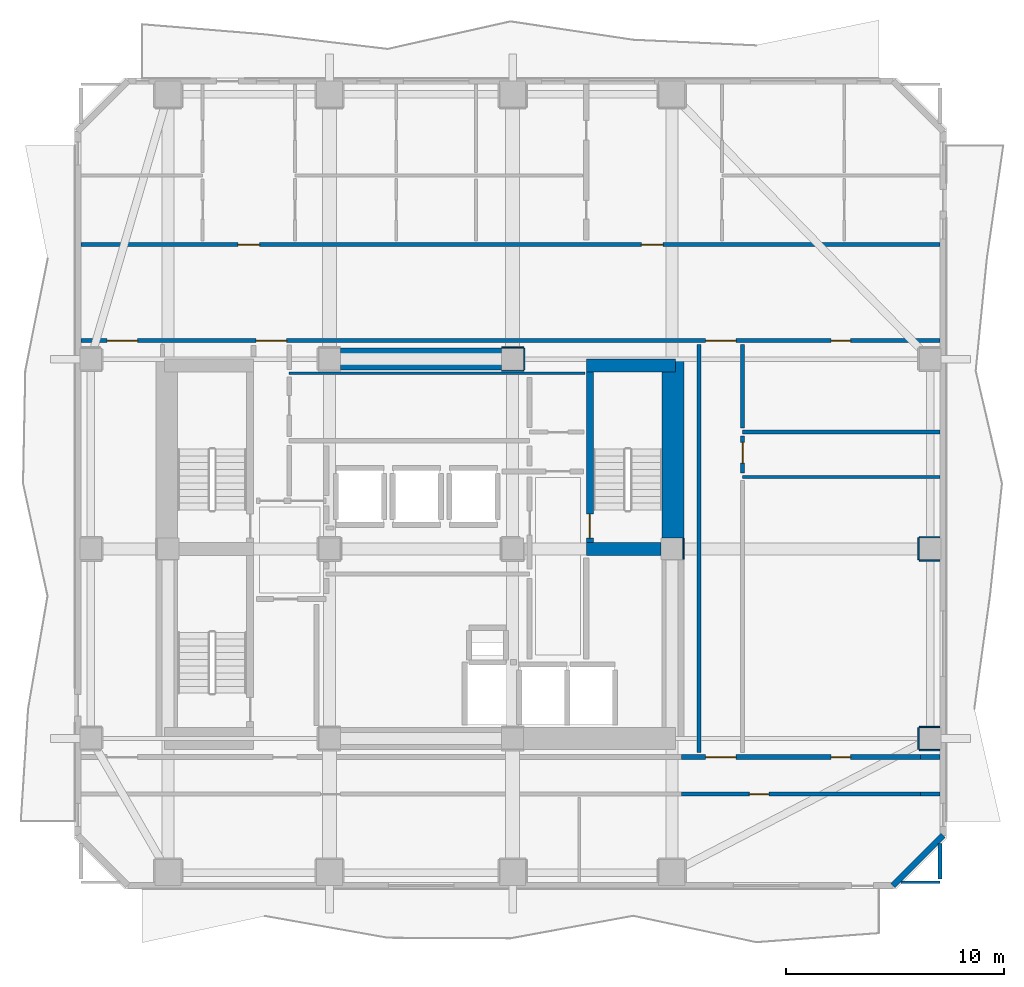
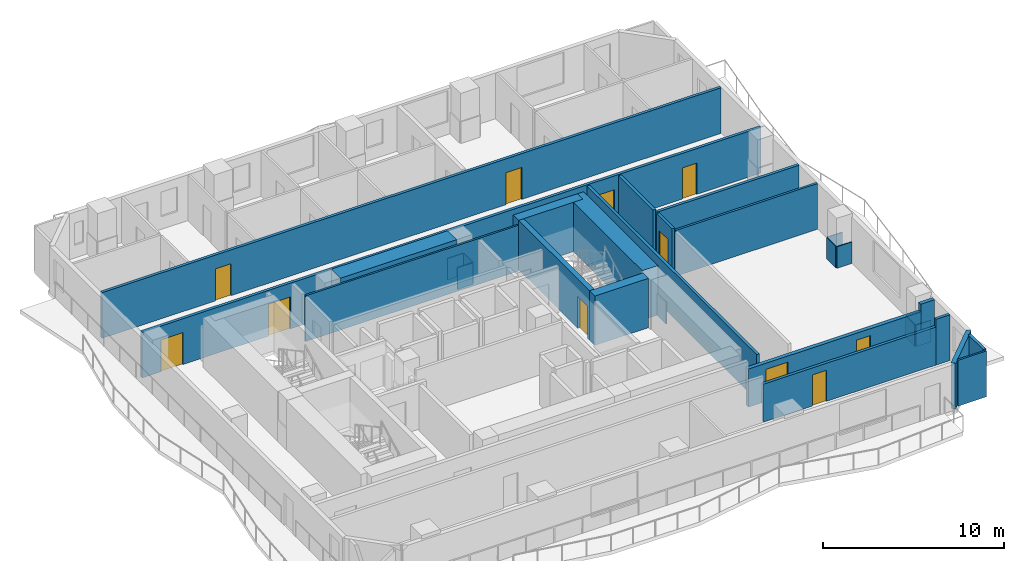
# One storey, part 4 of 11: 30 walls, 11 doors, 11 openings.
"""IFC4 building model written with IfcOpenShell, lengths in metres."""

from ifc_helpers import new_model, si_unit, direction, frame, frame_2d, origin, place, context, subcontext, project, spatial, rectangle, extrude, material, layer, layer_set, type_object, element, fill, save


model = new_model("IFC4")

# Units and contexts
model_context = context("Model", 3, precision=1e-05, world=origin(), true_north=direction((0.0, 1.0)))
body_context = subcontext(model_context, "Body", "Model", "MODEL_VIEW")
ifc_project = project(units=[si_unit("LENGTHUNIT", "METRE"), si_unit("AREAUNIT", "SQUARE_METRE"), si_unit("VOLUMEUNIT", "CUBIC_METRE"), si_unit("PLANEANGLEUNIT", "RADIAN"), si_unit("MASSUNIT", "GRAM", prefix="KILO")], contexts=[model_context])

# Site, building, storey
site_placement = place(None, origin())
site = spatial("IfcSite", under=ifc_project, at=site_placement, CompositionType="ELEMENT")
building_placement = place(site_placement, origin())
building = spatial("IfcBuilding", under=site, at=building_placement, Name="Solanera Arch Residences", CompositionType="ELEMENT")
storey_placement = place(building_placement, frame((0.0, 0.0, 159.199951171875)))
storey = spatial("IfcBuildingStorey", under=building, at=storey_placement, Name="L46", CompositionType="ELEMENT", Elevation=159.199951171875)

# Walls
ifc_material_1 = material(Name="Fire-Rated Gypsum Stud Partition", Category="gypsum")
ifc_layer_1 = layer(ifc_material_1, 0.06005859375)
ifc_layer_set_1 = layer_set([ifc_layer_1], Name="Fire-Rated Gypsum Stud Partition")
wall_type_1 = type_object("IfcWallType", Name="Column Acoustic Furring Wall 60", PredefinedType="PARTITIONING", material=ifc_layer_set_1)
for number, where, z_axis, x_axis, name in (
    (1, (28.699951171875, 38.867919921875, 0.0), (0.0, 0.0, 1.0), (1.0, 0.0, 0.0), "L46 Column Furring 4S"),
    (2, (28.699951171875, 39.931884765625, 0.0), (0.0, 0.0, 1.0), (1.0, 0.0, 0.0), "L46 Column Furring 4N"),
    (3, (29.73193359375, 38.89990234375, 0.0), (0.0, 0.0, 1.0), (0.0, 1.0, 0.0), "L46 Column Furring 4E"),
):
    element("IfcWall", number, at=place(storey_placement, frame(where, z_axis=z_axis, x_axis=x_axis)), inside=storey, type_object=wall_type_1, Name=name, PredefinedType="PARTITIONING", context=body_context, shape_type="SweptSolid", body=[
        extrude(rectangle(XDim=1.0, YDim=0.06005859375, at=frame_2d((0.5, 0.0))), origin(), (0.0, 0.0, 1.0), 1.449951171875),
    ])
wall_1_placement = place(storey_placement, frame((37.031982421875, 30.2099609375, 0.0), z_axis=(0.0, 0.0, 1.0), x_axis=(0.0, 1.0, 0.0)))
element("IfcWall", 4, at=wall_1_placement, inside=storey, type_object=wall_type_1, Name="L46 Column Furring 6E", PredefinedType="PARTITIONING", context=body_context, shape_type="SweptSolid", body=[
    extrude(rectangle(XDim=0.97998046875, YDim=0.06005859375, at=frame_2d((0.489990234375, 0.0))), origin(), (0.0, 0.0, 1.0), 1.449951171875),
])
for number, where, z_axis, x_axis, name in (
    (5, (47.85009765625, 21.468017578125, 0.0), (0.0, 0.0, 1.0), (1.0, 0.0, 0.0), "L46 Column Furring 18S"),
    (6, (47.85009765625, 22.531982421875, 0.0), (0.0, 0.0, 1.0), (1.0, 0.0, 0.0), "L46 Column Furring 18N"),
):
    element("IfcWall", number, at=place(storey_placement, frame(where, z_axis=z_axis, x_axis=x_axis)), inside=storey, type_object=wall_type_1, Name=name, PredefinedType="PARTITIONING", context=body_context, shape_type="SweptSolid", body=[
        extrude(rectangle(XDim=0.93994140625, YDim=0.06005859375, at=frame_2d((0.469970703125, 0.0))), origin(), (0.0, 0.0, 1.0), 1.449951171875),
    ])
wall_2_placement = place(storey_placement, frame((47.818115234375, 21.5, 0.0), z_axis=(0.0, 0.0, 1.0), x_axis=(0.0, 1.0, 0.0)))
element("IfcWall", 7, at=wall_2_placement, inside=storey, type_object=wall_type_1, Name="L46 Column Furring 18W", PredefinedType="PARTITIONING", context=body_context, shape_type="SweptSolid", body=[
    extrude(rectangle(XDim=1.0, YDim=0.06005859375, at=frame_2d((0.5, 0.0))), origin(), (0.0, 0.0, 1.0), 1.449951171875),
])
for number, where, z_axis, x_axis, name in (
    (8, (47.85009765625, 30.16796875, 0.0), (0.0, 0.0, 1.0), (1.0, 0.0, 0.0), "L46 Column Furring 20S"),
    (9, (47.85009765625, 31.23193359375, 0.0), (0.0, 0.0, 1.0), (1.0, 0.0, 0.0), "L46 Column Furring 20N"),
):
    element("IfcWall", number, at=place(storey_placement, frame(where, z_axis=z_axis, x_axis=x_axis)), inside=storey, type_object=wall_type_1, Name=name, PredefinedType="PARTITIONING", context=body_context, shape_type="SweptSolid", body=[
        extrude(rectangle(XDim=0.93994140625, YDim=0.06005859375, at=frame_2d((0.469970703125, 0.0))), origin(), (0.0, 0.0, 1.0), 1.449951171875),
    ])
wall_3_placement = place(storey_placement, frame((47.818115234375, 30.199951171875, 0.0), z_axis=(0.0, 0.0, 1.0), x_axis=(0.0, 1.0, 0.0)))
element("IfcWall", 10, at=wall_3_placement, inside=storey, type_object=wall_type_1, Name="L46 Column Furring 20W", PredefinedType="PARTITIONING", context=body_context, shape_type="SweptSolid", body=[
    extrude(rectangle(XDim=1.0, YDim=0.06005859375, at=frame_2d((0.5, 0.0))), origin(), (0.0, 0.0, 1.0), 1.449951171875),
])
ifc_material_2 = material(Name="Concrete C55/67 (f'c = 60 MPa)", Category="concrete")
ifc_layer_2 = layer(ifc_material_2, 1.0)
ifc_layer_set_2 = layer_set([ifc_layer_2], Name="Concrete C55/67 (f'c = 60 MPa)")
wall_type_2 = type_object("IfcWallType", Name="Core Shear Wall CW-1000", PredefinedType="SHEAR", material=ifc_layer_set_2)
wall_4_placement = place(storey_placement, frame((36.56005859375, 31.205078125, 0.0), z_axis=(0.0, 0.0, 1.0), x_axis=(0.0, 1.0, 0.0)))
element("IfcWall", 11, at=wall_4_placement, inside=storey, type_object=wall_type_2, Name="L46 East Core North Shear Wall", PredefinedType="SHEAR", context=body_context, shape_type="SweptSolid", body=[
    extrude(rectangle(XDim=8.19482421875, YDim=1.0, at=frame_2d((4.097412109375, 0.0))), origin(), (0.0, 0.0, 1.0), 3.320068359375),
])
wall_5_placement = place(storey_placement, frame((21.304931640625, 39.39990234375, 0.0), z_axis=(0.0, 0.0, 1.0), x_axis=(1.0, 0.0, 0.0)))
element("IfcWall", 12, at=wall_5_placement, inside=storey, type_object=wall_type_2, Name="L46 Central North Core Shear Wall", PredefinedType="SHEAR", context=body_context, shape_type="SweptSolid", body=[
    extrude(rectangle(XDim=7.39013671875, YDim=1.0, at=frame_2d((3.695068359375, 0.0))), origin(), (0.0, 0.0, 1.0), 3.320068359375),
])

# Wall, opening, door
ifc_material_3 = material(Name="Concrete C40/50 (f'c = 45 MPa)", Category="concrete")
ifc_layer_3 = layer(ifc_material_3, 0.320068359375)
ifc_layer_set_3 = layer_set([ifc_layer_3], Name="Concrete C40/50 (f'c = 45 MPa)")
wall_type_3 = type_object("IfcWallType", Name="Core Shear Wall CW-320", PredefinedType="SHEAR", material=ifc_layer_set_3)
wall_6_placement = place(storey_placement, frame((32.739990234375, 31.0, 0.0), z_axis=(0.0, 0.0, 1.0), x_axis=(0.0, 1.0, 0.0)))
wall_6 = element("IfcWall", 13, at=wall_6_placement, inside=storey, type_object=wall_type_3, Name="L46 Stair ST-T2 West Shear Wall", PredefinedType="SHEAR", context=body_context, shape_type="SweptSolid", body=[
    extrude(rectangle(XDim=7.800048828125, YDim=0.320068359375, at=frame_2d((3.89990234375, 0.0))), origin(), (0.0, 0.0, 1.0), 3.320068359375),
])
opening_1_placement = place(wall_6_placement, frame((0.18994140625, 0.0, 0.0)))
opening_1 = element("IfcOpeningElement", 14, at=opening_1_placement, cuts=wall_6, Name="Opening DF-01", PredefinedType="OPENING", context=body_context, shape_type="SweptSolid", body=[
    extrude(rectangle(XDim=1.10009765625, YDim=2.14990234375, at=frame_2d((0.550048828125, 1.074951171875))), frame((0.0, 0.169921875, 0.0), z_axis=(0.0, -1.0, 0.0), x_axis=(1.0, 0.0, 0.0)), (0.0, 0.0, 1.0), 0.3401),
])
ifc_material_4 = material(Name="Fire-Rated Architectural Hardwood", Category="wood")
door_type_1 = type_object("IfcDoorType", Name="Stair Exit Fire Door DF-01", OperationType="NOTDEFINED", PredefinedType="DOOR", material=ifc_material_4)
door_1_placement = place(opening_1_placement, origin())
door_1 = element("IfcDoor", 15, at=door_1_placement, inside=storey, type_object=door_type_1, Name="DR-L46-STAIR-ST-T2", OperationType="SINGLE_SWING_LEFT", OverallHeight=2.14990234375, OverallWidth=1.10009765625, PredefinedType="DOOR", context=body_context, shape_type="SweptSolid", body=[
    extrude(rectangle(XDim=1.10009765625, YDim=2.14990234375, at=frame_2d((0.550048828125, 1.074951171875))), frame((0.0, 0.02490234375, 0.0), z_axis=(0.0, -1.0, 0.0), x_axis=(1.0, 0.0, 0.0)), (0.0, 0.0, 1.0), 0.050048828125),
])
fill(opening_1, door_1)

# Walls
ifc_material_5 = material(Name="Concrete C40/50 (f'c = 45 MPa)", Category="concrete")
ifc_layer_4 = layer(ifc_material_5, 0.60009765625)
ifc_layer_set_4 = layer_set([ifc_layer_4], Name="Concrete C40/50 (f'c = 45 MPa)")
wall_type_4 = type_object("IfcWallType", Name="Core Shear Wall CW-600", PredefinedType="SHEAR", material=ifc_layer_set_4)
wall_7_placement = place(storey_placement, frame((32.580078125, 39.10009765625, 0.0), z_axis=(0.0, 0.0, 1.0), x_axis=(1.0, 0.0, 0.0)))
element("IfcWall", 16, at=wall_7_placement, inside=storey, type_object=wall_type_4, Name="L46 North-East Core Shear Wall", PredefinedType="SHEAR", context=body_context, shape_type="SweptSolid", body=[
    extrude(rectangle(XDim=4.079833984375, YDim=0.60009765625, at=frame_2d((2.0400390625, 0.0))), origin(), (0.0, 0.0, 1.0), 3.320068359375),
])
wall_8_placement = place(storey_placement, frame((32.580078125, 30.699951171875, 0.0), z_axis=(0.0, 0.0, 1.0), x_axis=(1.0, 0.0, 0.0)))
element("IfcWall", 17, at=wall_8_placement, inside=storey, type_object=wall_type_4, Name="L46 East Stair Far-Landing Shear Wall", PredefinedType="SHEAR", context=body_context, shape_type="SweptSolid", body=[
    extrude(rectangle(XDim=3.4150390625, YDim=0.60009765625, at=frame_2d((1.70751953125, 0.0))), origin(), (0.0, 0.0, 1.0), 3.320068359375),
])

# Wall, opening, door
ifc_material_6 = material(Name="Autoclaved Aerated Concrete Blockwork", Category="masonry")
ifc_layer_5 = layer(ifc_material_6, 0.179931640625)
ifc_layer_set_5 = layer_set([ifc_layer_5], Name="Autoclaved Aerated Concrete Blockwork")
wall_type_5 = type_object("IfcWallType", Name="Corridor Fire Partition 180", PredefinedType="PARTITIONING", material=ifc_layer_set_5)
wall_9_placement = place(storey_placement, frame((36.93896484375, 19.449951171875, 0.0), z_axis=(0.0, 0.0, 1.0), x_axis=(1.0, 0.0, 0.0)))
wall_9 = element("IfcWall", 18, at=wall_9_placement, inside=storey, type_object=wall_type_5, Name="L46 Interior Partition H7 2", PredefinedType="PARTITIONING", context=body_context, shape_type="SweptSolid", body=[
    extrude(rectangle(XDim=10.971923828125, YDim=0.179931640625, at=frame_2d((5.48583984375, 0.0))), origin(), (0.0, 0.0, 1.0), 2.56494140625),
])
opening_2_placement = place(wall_9_placement, frame((3.113037109375, 0.0, 0.0)))
opening_2 = element("IfcOpeningElement", 19, at=opening_2_placement, cuts=wall_9, Name="Opening DI-02", PredefinedType="OPENING", context=body_context, shape_type="SweptSolid", body=[
    extrude(rectangle(XDim=0.89990234375, YDim=2.10009765625, at=frame_2d((0.449951171875, 1.050048828125))), frame((0.0, 0.10009765625, 0.0), z_axis=(0.0, -1.0, 0.0), x_axis=(1.0, 0.0, 0.0)), (0.0, 0.0, 1.0), 0.1999),
])
ifc_material_7 = material(Name="Fire-Rated Architectural Hardwood", Category="wood")
door_type_2 = type_object("IfcDoorType", Name="Suite Room Swing Door DI-02", OperationType="NOTDEFINED", PredefinedType="DOOR", material=ifc_material_7)
door_2_placement = place(opening_2_placement, origin())
door_2 = element("IfcDoor", 20, at=door_2_placement, inside=storey, type_object=door_type_2, Name="DR-L46-IN-018", OperationType="SINGLE_SWING_LEFT", OverallHeight=2.10009765625, OverallWidth=0.89990234375, PredefinedType="DOOR", context=body_context, shape_type="SweptSolid", body=[
    extrude(rectangle(XDim=0.89990234375, YDim=2.10009765625, at=frame_2d((0.449951171875, 1.050048828125))), frame((0.0, 0.02490234375, 0.0), z_axis=(0.0, -1.0, 0.0), x_axis=(1.0, 0.0, 0.0)), (0.0, 0.0, 1.0), 0.050048828125),
])
fill(opening_2, door_2)

# Walls
wall_10_placement = place(storey_placement, frame((47.910888671875, 19.449951171875, 0.0), z_axis=(0.0, 0.0, 1.0), x_axis=(1.0, 0.0, 0.0)))
element("IfcWall", 21, at=wall_10_placement, inside=storey, type_object=wall_type_5, Name="L46 Interior Partition H7 3", PredefinedType="PARTITIONING", context=body_context, shape_type="SweptSolid", body=[
    extrude(rectangle(XDim=0.882080078125, YDim=0.179931640625, at=frame_2d((0.44091796875, 0.0))), origin(), (0.0, 0.0, 1.0), 3.080078125),
])
wall_11_placement = place(storey_placement, frame((39.75, 36.050048828125, 0.0), z_axis=(0.0, 0.0, 1.0), x_axis=(1.0, 0.0, 0.0)))
element("IfcWall", 22, at=wall_11_placement, inside=storey, type_object=wall_type_5, Name="L46 Interior Partition H11", PredefinedType="PARTITIONING", context=body_context, shape_type="SweptSolid", body=[
    extrude(rectangle(XDim=9.04296875, YDim=0.179931640625, at=frame_2d((4.521484375, 0.0))), origin(), (0.0, 0.0, 1.0), 3.080078125),
])

# Wall, openings, doors
wall_12_placement = place(storey_placement, frame((9.406982421875, 40.25, 0.0), z_axis=(0.0, 0.0, 1.0), x_axis=(1.0, 0.0, 0.0)))
wall_12 = element("IfcWall", 23, at=wall_12_placement, inside=storey, type_object=wall_type_5, Name="L46 Interior Partition H12", PredefinedType="PARTITIONING", context=body_context, shape_type="SweptSolid", body=[
    extrude(rectangle(XDim=39.385986328125, YDim=0.179931640625, at=frame_2d((19.69287109375, 0.0))), origin(), (0.0, 0.0, 1.0), 3.080078125),
])
opening_3_placement = place(wall_12_placement, frame((8.028076171875, 0.0, 0.0)))
opening_3 = element("IfcOpeningElement", 24, at=opening_3_placement, cuts=wall_12, Name="Opening DF-03", PredefinedType="OPENING", context=body_context, shape_type="SweptSolid", body=[
    extrude(rectangle(XDim=1.39990234375, YDim=2.14990234375, at=frame_2d((0.699951171875, 1.074951171875))), frame((0.0, 0.10009765625, 0.0), z_axis=(0.0, -1.0, 0.0), x_axis=(1.0, 0.0, 0.0)), (0.0, 0.0, 1.0), 0.1999),
])
opening_4_placement = place(wall_12_placement, frame((1.19189453125, 0.0, 0.0)))
opening_4 = element("IfcOpeningElement", 25, at=opening_4_placement, cuts=wall_12, Name="Opening DF-03", PredefinedType="OPENING", context=body_context, shape_type="SweptSolid", body=[
    extrude(rectangle(XDim=1.39990234375, YDim=2.14990234375, at=frame_2d((0.699951171875, 1.074951171875))), frame((0.0, 0.10009765625, 0.0), z_axis=(0.0, -1.0, 0.0), x_axis=(1.0, 0.0, 0.0)), (0.0, 0.0, 1.0), 0.1999),
])
opening_5_placement = place(wall_12_placement, frame((28.64306640625, 0.0, 0.0)))
opening_5 = element("IfcOpeningElement", 26, at=opening_5_placement, cuts=wall_12, Name="Opening DF-03", PredefinedType="OPENING", context=body_context, shape_type="SweptSolid", body=[
    extrude(rectangle(XDim=1.39990234375, YDim=2.14990234375, at=frame_2d((0.699951171875, 1.074951171875))), frame((0.0, 0.10009765625, 0.0), z_axis=(0.0, -1.0, 0.0), x_axis=(1.0, 0.0, 0.0)), (0.0, 0.0, 1.0), 0.1999),
])
opening_6_placement = place(wall_12_placement, frame((34.39404296875, 0.0, 0.0)))
opening_6 = element("IfcOpeningElement", 27, at=opening_6_placement, cuts=wall_12, Name="Opening DI-02", PredefinedType="OPENING", context=body_context, shape_type="SweptSolid", body=[
    extrude(rectangle(XDim=0.89990234375, YDim=2.10009765625, at=frame_2d((0.449951171875, 1.050048828125))), frame((0.0, 0.10009765625, 0.0), z_axis=(0.0, -1.0, 0.0), x_axis=(1.0, 0.0, 0.0)), (0.0, 0.0, 1.0), 0.1999),
])
ifc_material_8 = material(Name="Fire-Rated Architectural Hardwood", Category="wood")
door_type_3 = type_object("IfcDoorType", Name="Corridor Smoke Door DF-03", OperationType="NOTDEFINED", PredefinedType="DOOR", material=ifc_material_8)
door_3_placement = place(opening_3_placement, origin())
door_3 = element("IfcDoor", 28, at=door_3_placement, inside=storey, type_object=door_type_3, Name="DR-L46-IN-009", OperationType="SINGLE_SWING_RIGHT", OverallHeight=2.14990234375, OverallWidth=1.39990234375, PredefinedType="DOOR", context=body_context, shape_type="SweptSolid", body=[
    extrude(rectangle(XDim=1.39990234375, YDim=2.14990234375, at=frame_2d((0.699951171875, 1.074951171875))), frame((0.0, 0.02490234375, 0.0), z_axis=(0.0, -1.0, 0.0), x_axis=(1.0, 0.0, 0.0)), (0.0, 0.0, 1.0), 0.050048828125),
])
fill(opening_3, door_3)
door_4_placement = place(opening_4_placement, origin())
door_4 = element("IfcDoor", 29, at=door_4_placement, inside=storey, type_object=door_type_3, Name="DR-L46-IN-012", OperationType="SINGLE_SWING_LEFT", OverallHeight=2.14990234375, OverallWidth=1.39990234375, PredefinedType="DOOR", context=body_context, shape_type="SweptSolid", body=[
    extrude(rectangle(XDim=1.39990234375, YDim=2.14990234375, at=frame_2d((0.699951171875, 1.074951171875))), frame((0.0, 0.02490234375, 0.0), z_axis=(0.0, -1.0, 0.0), x_axis=(1.0, 0.0, 0.0)), (0.0, 0.0, 1.0), 0.050048828125),
])
fill(opening_4, door_4)
door_5_placement = place(opening_5_placement, origin())
door_5 = element("IfcDoor", 30, at=door_5_placement, inside=storey, type_object=door_type_3, Name="DR-L46-IN-013", OperationType="SINGLE_SWING_RIGHT", OverallHeight=2.14990234375, OverallWidth=1.39990234375, PredefinedType="DOOR", context=body_context, shape_type="SweptSolid", body=[
    extrude(rectangle(XDim=1.39990234375, YDim=2.14990234375, at=frame_2d((0.699951171875, 1.074951171875))), frame((0.0, 0.02490234375, 0.0), z_axis=(0.0, -1.0, 0.0), x_axis=(1.0, 0.0, 0.0)), (0.0, 0.0, 1.0), 0.050048828125),
])
fill(opening_5, door_5)
door_6_placement = place(opening_6_placement, origin())
door_6 = element("IfcDoor", 31, at=door_6_placement, inside=storey, type_object=door_type_2, Name="DR-L46-IN-035", OperationType="SINGLE_SWING_RIGHT", OverallHeight=2.10009765625, OverallWidth=0.89990234375, PredefinedType="DOOR", context=body_context, shape_type="SweptSolid", body=[
    extrude(rectangle(XDim=0.89990234375, YDim=2.10009765625, at=frame_2d((0.449951171875, 1.050048828125))), frame((0.0, 0.02490234375, 0.0), z_axis=(0.0, -1.0, 0.0), x_axis=(1.0, 0.0, 0.0)), (0.0, 0.0, 1.0), 0.050048828125),
])
fill(opening_6, door_6)

wall_13_placement = place(storey_placement, frame((9.406982421875, 44.64990234375, 0.0), z_axis=(0.0, 0.0, 1.0), x_axis=(1.0, 0.0, 0.0)))
wall_13 = element("IfcWall", 32, at=wall_13_placement, inside=storey, type_object=wall_type_5, Name="L46 Interior Partition H13", PredefinedType="PARTITIONING", context=body_context, shape_type="SweptSolid", body=[
    extrude(rectangle(XDim=39.385986328125, YDim=0.179931640625, at=frame_2d((19.69287109375, 0.0))), origin(), (0.0, 0.0, 1.0), 3.080078125),
])
opening_7_placement = place(wall_13_placement, frame((7.193115234375, 0.0, 0.0)))
opening_7 = element("IfcOpeningElement", 33, at=opening_7_placement, cuts=wall_13, Name="Opening DI-01", PredefinedType="OPENING", context=body_context, shape_type="SweptSolid", body=[
    extrude(rectangle(XDim=1.0, YDim=2.14990234375, at=frame_2d((0.5, 1.074951171875))), frame((0.0, 0.10009765625, 0.0), z_axis=(0.0, -1.0, 0.0), x_axis=(1.0, 0.0, 0.0)), (0.0, 0.0, 1.0), 0.1999),
])
opening_8_placement = place(wall_13_placement, frame((25.698974609375, 0.0, 0.0)))
opening_8 = element("IfcOpeningElement", 34, at=opening_8_placement, cuts=wall_13, Name="Opening DI-01", PredefinedType="OPENING", context=body_context, shape_type="SweptSolid", body=[
    extrude(rectangle(XDim=1.0, YDim=2.14990234375, at=frame_2d((0.5, 1.074951171875))), frame((0.0, 0.10009765625, 0.0), z_axis=(0.0, -1.0, 0.0), x_axis=(1.0, 0.0, 0.0)), (0.0, 0.0, 1.0), 0.1999),
])
ifc_material_9 = material(Name="Fire-Rated Architectural Hardwood", Category="wood")
door_type_4 = type_object("IfcDoorType", Name="Unit Entrance Fire Door DI-01", OperationType="NOTDEFINED", PredefinedType="DOOR", material=ifc_material_9)
door_7_placement = place(opening_7_placement, origin())
door_7 = element("IfcDoor", 35, at=door_7_placement, inside=storey, type_object=door_type_4, Name="DR-L46-IN-019", OperationType="SINGLE_SWING_RIGHT", OverallHeight=2.14990234375, OverallWidth=1.0, PredefinedType="DOOR", context=body_context, shape_type="SweptSolid", body=[
    extrude(rectangle(XDim=1.0, YDim=2.14990234375, at=frame_2d((0.5, 1.074951171875))), frame((0.0, 0.02490234375, 0.0), z_axis=(0.0, -1.0, 0.0), x_axis=(1.0, 0.0, 0.0)), (0.0, 0.0, 1.0), 0.050048828125),
])
fill(opening_7, door_7)
door_8_placement = place(opening_8_placement, origin())
door_8 = element("IfcDoor", 36, at=door_8_placement, inside=storey, type_object=door_type_4, Name="DR-L46-IN-026", OperationType="SINGLE_SWING_LEFT", OverallHeight=2.14990234375, OverallWidth=1.0, PredefinedType="DOOR", context=body_context, shape_type="SweptSolid", body=[
    extrude(rectangle(XDim=1.0, YDim=2.14990234375, at=frame_2d((0.5, 1.074951171875))), frame((0.0, 0.02490234375, 0.0), z_axis=(0.0, -1.0, 0.0), x_axis=(1.0, 0.0, 0.0)), (0.0, 0.0, 1.0), 0.050048828125),
])
fill(opening_8, door_8)

# Wall
wall_14_placement = place(storey_placement, frame((37.75, 21.367919921875, 0.0), z_axis=(0.0, 0.0, 1.0), x_axis=(0.0, 1.0, 0.0)))
element("IfcWall", 37, at=wall_14_placement, inside=storey, type_object=wall_type_5, Name="L46 Interior Partition V11", PredefinedType="PARTITIONING", context=body_context, shape_type="SweptSolid", body=[
    extrude(rectangle(XDim=18.694091796875, YDim=0.179931640625, at=frame_2d((9.34716796875, 0.0))), origin(), (0.0, 0.0, 1.0), 3.080078125),
])

# Wall, opening, door
wall_15_placement = place(storey_placement, frame((39.75, 34.16796875, 0.0), z_axis=(0.0, 0.0, 1.0), x_axis=(0.0, 1.0, 0.0)))
wall_15 = element("IfcWall", 38, at=wall_15_placement, inside=storey, type_object=wall_type_5, Name="L46 Interior Partition V12 2", PredefinedType="PARTITIONING", context=body_context, shape_type="SweptSolid", body=[
    extrude(rectangle(XDim=1.694091796875, YDim=0.179931640625, at=frame_2d((0.84716796875, 0.0))), origin(), (0.0, 0.0, 1.0), 3.080078125),
])
opening_9_placement = place(wall_15_placement, frame((0.45703125, 0.0, 0.0)))
opening_9 = element("IfcOpeningElement", 39, at=opening_9_placement, cuts=wall_15, Name="Opening DI-04", PredefinedType="OPENING", context=body_context, shape_type="SweptSolid", body=[
    extrude(rectangle(XDim=0.949951171875, YDim=2.10009765625, at=frame_2d((0.47509765625, 1.050048828125))), frame((0.0, 0.10009765625, 0.0), z_axis=(0.0, -1.0, 0.0), x_axis=(1.0, 0.0, 0.0)), (0.0, 0.0, 1.0), 0.1999),
])
ifc_material_10 = material(Name="Fire-Rated Architectural Hardwood", Category="wood")
door_type_5 = type_object("IfcDoorType", Name="Accessible Restroom Door DI-04", OperationType="NOTDEFINED", PredefinedType="DOOR", material=ifc_material_10)
door_9_placement = place(opening_9_placement, origin())
door_9 = element("IfcDoor", 40, at=door_9_placement, inside=storey, type_object=door_type_5, Name="DR-L46-IN-034", OperationType="SINGLE_SWING_LEFT", OverallHeight=2.10009765625, OverallWidth=0.949951171875, PredefinedType="DOOR", context=body_context, shape_type="SweptSolid", body=[
    extrude(rectangle(XDim=0.949951171875, YDim=2.10009765625, at=frame_2d((0.47509765625, 1.050048828125))), frame((0.0, 0.02490234375, 0.0), z_axis=(0.0, -1.0, 0.0), x_axis=(1.0, 0.0, 0.0)), (0.0, 0.0, 1.0), 0.050048828125),
])
fill(opening_9, door_9)

# Walls
wall_16_placement = place(storey_placement, frame((39.75, 36.238037109375, 0.0), z_axis=(0.0, 0.0, 1.0), x_axis=(0.0, 1.0, 0.0)))
element("IfcWall", 41, at=wall_16_placement, inside=storey, type_object=wall_type_5, Name="L46 Interior Partition V12 3", PredefinedType="PARTITIONING", context=body_context, shape_type="SweptSolid", body=[
    extrude(rectangle(XDim=3.823974609375, YDim=0.179931640625, at=frame_2d((1.912109375, 0.0))), origin(), (0.0, 0.0, 1.0), 3.080078125),
])
wall_17_placement = place(storey_placement, frame((48.800048828125, 15.55810546875, 0.0), z_axis=(0.0, 0.0, 1.0), x_axis=(0.0, 1.0, 0.0)))
element("IfcWall", 42, at=wall_17_placement, inside=storey, type_object=wall_type_5, Name="L46 Interior Partition V13 1", PredefinedType="PARTITIONING", context=body_context, shape_type="SweptSolid", body=[
    extrude(rectangle(XDim=1.636962890625, YDim=0.179931640625, at=frame_2d((0.818359375, 0.0))), origin(), (0.0, 0.0, 1.0), 3.080078125),
])
ifc_material_11 = material(Name="Precast Concrete C35/45", Category="concrete")
ifc_layer_6 = layer(ifc_material_11, 0.280029296875)
ifc_layer_set_6 = layer_set([ifc_layer_6], Name="Precast Concrete C35/45")
wall_type_6 = type_object("IfcWallType", Name="Exterior Wall Precast Masonry-Frame 280", PredefinedType="STANDARD", material=ifc_layer_set_6)
wall_18_placement = place(storey_placement, frame((48.945068359375, 17.554931640625, 0.0), z_axis=(0.0, 0.0, 1.0), x_axis=(-0.707106781187, -0.707106781187, 0.0)))
element("IfcWall", 43, at=wall_18_placement, inside=storey, type_object=wall_type_6, Name="L46 Tower Exterior Precast Masonry-Frame Wall CH5", PredefinedType="STANDARD", context=body_context, shape_type="SweptSolid", body=[
    extrude(rectangle(XDim=3.252685546875, YDim=0.280029296875, at=frame_2d((1.62646484375, 0.0))), origin(), (0.0, 0.0, 1.0), 3.080078125),
])

# Wall, openings, doors
ifc_material_12 = material(Name="Autoclaved Aerated Concrete Blockwork", Category="masonry")
ifc_layer_7 = layer(ifc_material_12, 0.239990234375)
ifc_layer_set_7 = layer_set([ifc_layer_7], Name="Autoclaved Aerated Concrete Blockwork")
wall_type_7 = type_object("IfcWallType", Name="Shaft Wall Fire-Rated 240", PredefinedType="PARTITIONING", material=ifc_layer_set_7)
wall_19_placement = place(storey_placement, frame((36.93896484375, 21.14990234375, 0.0), z_axis=(0.0, 0.0, 1.0), x_axis=(1.0, 0.0, 0.0)))
wall_19 = element("IfcWall", 44, at=wall_19_placement, inside=storey, type_object=wall_type_7, Name="L46 Interior Partition H1 2", PredefinedType="PARTITIONING", context=body_context, shape_type="SweptSolid", body=[
    extrude(rectangle(XDim=10.971923828125, YDim=0.239990234375, at=frame_2d((5.48583984375, 0.0))), origin(), (0.0, 0.0, 1.0), 2.56494140625),
])
opening_10_placement = place(wall_19_placement, frame((1.111083984375, 0.0, 0.0)))
opening_10 = element("IfcOpeningElement", 45, at=opening_10_placement, cuts=wall_19, Name="Opening DF-03", PredefinedType="OPENING", context=body_context, shape_type="SweptSolid", body=[
    extrude(rectangle(XDim=1.39990234375, YDim=2.14990234375, at=frame_2d((0.699951171875, 1.074951171875))), frame((0.0, 0.1298828125, 0.0), z_axis=(0.0, -1.0, 0.0), x_axis=(1.0, 0.0, 0.0)), (0.0, 0.0, 1.0), 0.26),
])
opening_11_placement = place(wall_19_placement, frame((6.862060546875, 0.0, 0.0)))
opening_11 = element("IfcOpeningElement", 46, at=opening_11_placement, cuts=wall_19, Name="Opening DI-02", PredefinedType="OPENING", context=body_context, shape_type="SweptSolid", body=[
    extrude(rectangle(XDim=0.89990234375, YDim=2.10009765625, at=frame_2d((0.449951171875, 1.050048828125))), frame((0.0, 0.1298828125, 0.0), z_axis=(0.0, -1.0, 0.0), x_axis=(1.0, 0.0, 0.0)), (0.0, 0.0, 1.0), 0.26),
])
door_10_placement = place(opening_10_placement, origin())
door_10 = element("IfcDoor", 47, at=door_10_placement, inside=storey, type_object=door_type_3, Name="DR-L46-IN-011", OperationType="SINGLE_SWING_RIGHT", OverallHeight=2.14990234375, OverallWidth=1.39990234375, PredefinedType="DOOR", context=body_context, shape_type="SweptSolid", body=[
    extrude(rectangle(XDim=1.39990234375, YDim=2.14990234375, at=frame_2d((0.699951171875, 1.074951171875))), frame((0.0, 0.02490234375, 0.0), z_axis=(0.0, -1.0, 0.0), x_axis=(1.0, 0.0, 0.0)), (0.0, 0.0, 1.0), 0.050048828125),
])
fill(opening_10, door_10)
door_11_placement = place(opening_11_placement, origin())
door_11 = element("IfcDoor", 48, at=door_11_placement, inside=storey, type_object=door_type_2, Name="DR-L46-IN-033", OperationType="SINGLE_SWING_RIGHT", OverallHeight=2.10009765625, OverallWidth=0.89990234375, PredefinedType="DOOR", context=body_context, shape_type="SweptSolid", body=[
    extrude(rectangle(XDim=0.89990234375, YDim=2.10009765625, at=frame_2d((0.449951171875, 1.050048828125))), frame((0.0, 0.02490234375, 0.0), z_axis=(0.0, -1.0, 0.0), x_axis=(1.0, 0.0, 0.0)), (0.0, 0.0, 1.0), 0.050048828125),
])
fill(opening_11, door_11)

# Walls
wall_20_placement = place(storey_placement, frame((47.910888671875, 21.14990234375, 0.0), z_axis=(0.0, 0.0, 1.0), x_axis=(1.0, 0.0, 0.0)))
element("IfcWall", 49, at=wall_20_placement, inside=storey, type_object=wall_type_7, Name="L46 Interior Partition H1 3", PredefinedType="PARTITIONING", context=body_context, shape_type="SweptSolid", body=[
    extrude(rectangle(XDim=0.882080078125, YDim=0.239990234375, at=frame_2d((0.44091796875, 0.0))), origin(), (0.0, 0.0, 1.0), 3.080078125),
])
ifc_material_13 = material(Name="Fire-Rated Gypsum Stud Partition", Category="gypsum")
ifc_layer_8 = layer(ifc_material_13, 0.1201171875)
ifc_layer_set_8 = layer_set([ifc_layer_8], Name="Fire-Rated Gypsum Stud Partition")
wall_type_8 = type_object("IfcWallType", Name="Unit Drywall Partition 120", PredefinedType="PARTITIONING", material=ifc_layer_set_8)
wall_21_placement = place(storey_placement, frame((47.0048828125, 15.39990234375, 0.0), z_axis=(0.0, 0.0, 1.0), x_axis=(1.0, 0.0, 0.0)))
element("IfcWall", 50, at=wall_21_placement, inside=storey, type_object=wall_type_8, Name="L46 Interior Partition H18 2", PredefinedType="PARTITIONING", context=body_context, shape_type="SweptSolid", body=[
    extrude(rectangle(XDim=1.795166015625, YDim=0.1201171875, at=frame_2d((0.8974609375, 0.0))), origin(), (0.0, 0.0, 1.0), 3.080078125),
])
wall_22_placement = place(storey_placement, frame((18.949951171875, 38.75, 0.0), z_axis=(0.0, 0.0, 1.0), x_axis=(1.0, 0.0, 0.0)))
element("IfcWall", 51, at=wall_22_placement, inside=storey, type_object=wall_type_8, Name="L46 Interior Partition H19", PredefinedType="PARTITIONING", context=body_context, shape_type="SweptSolid", body=[
    extrude(rectangle(XDim=13.56005859375, YDim=0.1201171875, at=frame_2d((6.780029296875, 0.0))), origin(), (0.0, 0.0, 1.0), 3.080078125),
])
ifc_material_14 = material(Name="Autoclaved Aerated Concrete Blockwork", Category="masonry")
ifc_layer_9 = layer(ifc_material_14, 0.139892578125)
ifc_layer_set_9 = layer_set([ifc_layer_9], Name="Autoclaved Aerated Concrete Blockwork")
wall_type_9 = type_object("IfcWallType", Name="Wet-Room Partition 140", PredefinedType="PARTITIONING", material=ifc_layer_set_9)
wall_23_placement = place(storey_placement, frame((39.75, 34.0, 0.0), z_axis=(0.0, 0.0, 1.0), x_axis=(1.0, 0.0, 0.0)))
element("IfcWall", 52, at=wall_23_placement, inside=storey, type_object=wall_type_9, Name="L46 Interior Partition H14", PredefinedType="PARTITIONING", context=body_context, shape_type="SweptSolid", body=[
    extrude(rectangle(XDim=9.04296875, YDim=0.139892578125, at=frame_2d((4.521484375, 0.0))), origin(), (0.0, 0.0, 1.0), 3.080078125),
])

save(model, "model.ifc")
